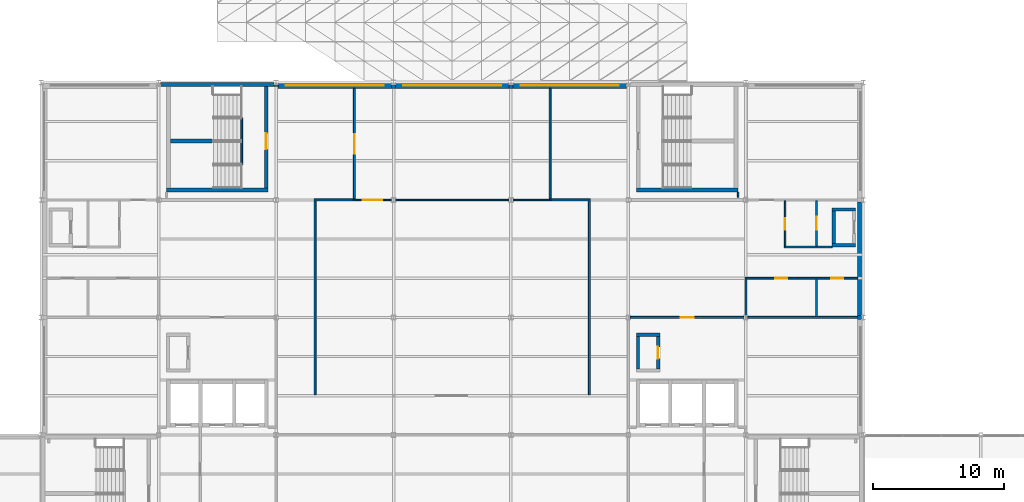
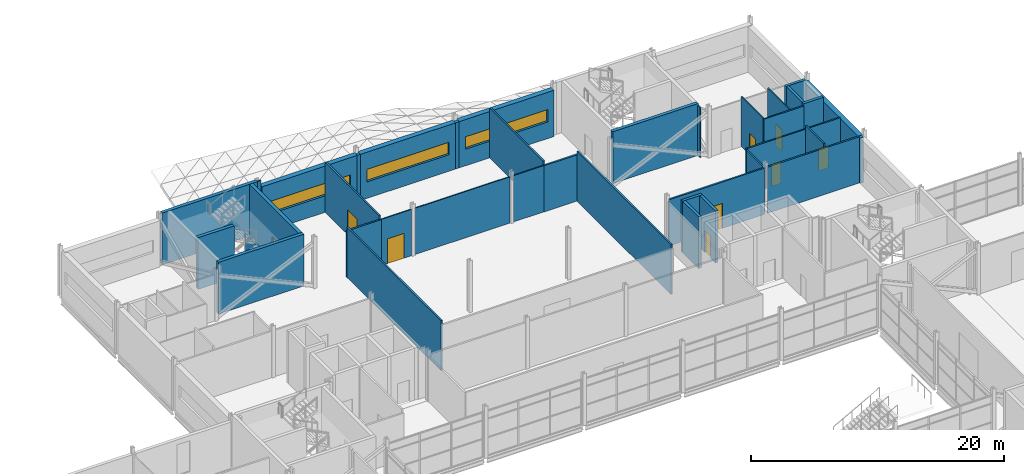
# One storey, part 86 of 112: 38 walls, 9 doors, 3 windows, 12 openings.
"""IFC4 building model written with IfcOpenShell, lengths in metres."""

from ifc_helpers import new_model, si_unit, direction, frame, frame_2d, origin, place, context, subcontext, project, spatial, rectangle, extrude, material, layer, layer_set, type_object, element, fill, save


model = new_model("IFC4")

# Units and contexts
model_context = context("Model", 3, precision=1e-05, world=origin(), true_north=direction((0.0, 1.0)))
body_context = subcontext(model_context, "Body", "Model", "MODEL_VIEW")
ifc_project = project(units=[si_unit("LENGTHUNIT", "METRE"), si_unit("AREAUNIT", "SQUARE_METRE"), si_unit("VOLUMEUNIT", "CUBIC_METRE"), si_unit("PLANEANGLEUNIT", "RADIAN"), si_unit("MASSUNIT", "GRAM", prefix="KILO")], contexts=[model_context])

# Site, building, storey
site_placement = place(None, origin())
site = spatial("IfcSite", under=ifc_project, at=site_placement, CompositionType="ELEMENT")
building_placement = place(site_placement, origin())
building = spatial("IfcBuilding", under=site, at=building_placement, Name="Shorebreak Coast Museum", CompositionType="ELEMENT")
storey_placement = place(building_placement, frame((0.0, 0.0, 6.0)))
storey = spatial("IfcBuildingStorey", under=building, at=storey_placement, Name="L01", CompositionType="ELEMENT", Elevation=6.0)

# Walls
ifc_material_1 = material(Name="Concrete N50 (50 MPa)", Category="concrete")
ifc_layer_1 = layer(ifc_material_1, 0.136474609375)
ifc_layer_set_1 = layer_set([ifc_layer_1], Name="Concrete N50 (50 MPa)")
wall_type_1 = type_object("IfcWallType", Name="Column closure panel 136", PredefinedType="SOLIDWALL", material=ifc_layer_set_1)
wall_1_placement = place(storey_placement, frame((71.844482421875, 116.768310546875, 0.0), z_axis=(0.0, 0.0, 1.0), x_axis=(1.0, 0.0, 0.0)))
element("IfcWall", 1, at=wall_1_placement, inside=storey, type_object=wall_type_1, Name="Column closure panel L01 N 9P", PredefinedType="SOLIDWALL", context=body_context, shape_type="SweptSolid", body=[
    extrude(rectangle(XDim=0.322021484375, YDim=0.136474609375, at=frame_2d((0.1611328125, 0.0))), origin(), (0.0, 0.0, 1.0), 5.0),
])
ifc_material_2 = material(Name="Concrete N50 (50 MPa)", Category="concrete")
ifc_layer_2 = layer(ifc_material_2, 0.286376953125)
ifc_layer_set_2 = layer_set([ifc_layer_2], Name="Concrete N50 (50 MPa)")
wall_type_2 = type_object("IfcWallType", Name="Column closure panel 286", PredefinedType="SOLIDWALL", material=ifc_layer_set_2)
for number, where, z_axis, x_axis, name in (
    (2, (80.839111328125, 116.693115234375, 0.0), (0.0, 0.0, 1.0), (1.0, 0.0, 0.0), "Column closure panel L01 N 10P"),
    (3, (89.839111328125, 116.693115234375, 0.0), (0.0, 0.0, 1.0), (1.0, 0.0, 0.0), "Column closure panel L01 N 11P"),
):
    element("IfcWall", number, at=place(storey_placement, frame(where, z_axis=z_axis, x_axis=x_axis)), inside=storey, type_object=wall_type_2, Name=name, PredefinedType="SOLIDWALL", context=body_context, shape_type="SweptSolid", body=[
        extrude(rectangle(XDim=0.32177734375, YDim=0.286376953125, at=frame_2d((0.160888671875, 0.0))), origin(), (0.0, 0.0, 1.0), 4.46630859375),
    ])
ifc_material_3 = material(Name="Concrete N50 (50 MPa)", Category="concrete")
ifc_layer_3 = layer(ifc_material_3, 0.29541015625)
ifc_layer_set_3 = layer_set([ifc_layer_3], Name="Concrete N50 (50 MPa)")
wall_type_3 = type_object("IfcWallType", Name="Column closure panel 295", PredefinedType="SOLIDWALL", material=ifc_layer_set_3)
wall_2_placement = place(storey_placement, frame((116.69775390625, 98.839111328125, 0.0), z_axis=(0.0, 0.0, 1.0), x_axis=(0.0, 1.0, 0.0)))
element("IfcWall", 4, at=wall_2_placement, inside=storey, type_object=wall_type_3, Name="Column closure panel L01 E 14M", PredefinedType="SOLIDWALL", context=body_context, shape_type="SweptSolid", body=[
    extrude(rectangle(XDim=0.32177734375, YDim=0.29541015625, at=frame_2d((0.160888671875, 0.0))), origin(), (0.0, 0.0, 1.0), 4.364501953125),
])
ifc_material_4 = material(Name="Concrete N50 (50 MPa)", Category="concrete")
ifc_layer_4 = layer(ifc_material_4, 0.449951171875)
ifc_layer_set_4 = layer_set([ifc_layer_4], Name="Concrete N50 (50 MPa)")
wall_type_4 = type_object("IfcWallType", Name="Deep-set precast panel 450", PredefinedType="SOLIDWALL", material=ifc_layer_set_4)
wall_3_placement = place(storey_placement, frame((116.77490234375, 99.160888671875, 0.0), z_axis=(0.0, 0.0, 1.0), x_axis=(0.0, 1.0, 0.0)))
element("IfcWall", 5, at=wall_3_placement, inside=storey, type_object=wall_type_4, Name="External wall L01 E 14M", PredefinedType="SOLIDWALL", context=body_context, shape_type="SweptSolid", body=[
    extrude(rectangle(XDim=8.67822265625, YDim=0.449951171875, at=frame_2d((4.339111328125, 0.0))), origin(), (0.0, 0.0, 1.0), 4.364501953125),
])

# Wall, opening, window
wall_4_placement = place(storey_placement, frame((72.16650390625, 116.77490234375, 0.0), z_axis=(0.0, 0.0, 1.0), x_axis=(1.0, 0.0, 0.0)))
wall_4 = element("IfcWall", 6, at=wall_4_placement, inside=storey, type_object=wall_type_4, Name="External wall L01 N 9P", PredefinedType="SOLIDWALL", context=body_context, shape_type="SweptSolid", body=[
    extrude(rectangle(XDim=8.672607421875, YDim=0.449951171875, at=frame_2d((4.33642578125, 0.0))), origin(), (0.0, 0.0, 1.0), 4.46630859375),
])
opening_1_placement = place(wall_4_placement, frame((0.58349609375, 0.0, 1.60009765625)))
opening_1 = element("IfcOpeningElement", 7, at=opening_1_placement, cuts=wall_4, Name="Opening WN1018", PredefinedType="OPENING", context=body_context, shape_type="SweptSolid", body=[
    extrude(rectangle(XDim=7.5, YDim=1.199951171875, at=frame_2d((3.75, 0.60009765625))), frame((0.0, 0.23486328125, 0.0), z_axis=(0.0, -1.0, 0.0), x_axis=(1.0, 0.0, 0.0)), (0.0, 0.0, 1.0), 0.469970703125),
])
ifc_material_5 = material(Name="Aluminium", Category="aluminium")
window_type = type_object("IfcWindowType", Name="Ribbon window 7500 x 1200", PartitioningType="SINGLE_PANEL", PredefinedType="WINDOW", material=ifc_material_5)
window_1_placement = place(opening_1_placement, origin())
window_1 = element("IfcWindow", 8, at=window_1_placement, inside=storey, type_object=window_type, Name="Window WN1018", OverallHeight=1.199951171875, OverallWidth=7.5, PartitioningType="SINGLE_PANEL", PredefinedType="WINDOW", context=body_context, shape_type="SweptSolid", body=[
    extrude(rectangle(XDim=7.5, YDim=1.199951171875, at=frame_2d((3.75, 0.60009765625))), frame((0.0, 0.030029296875, 0.0), z_axis=(0.0, -1.0, 0.0), x_axis=(1.0, 0.0, 0.0)), (0.0, 0.0, 1.0), 0.06005859375),
])
fill(opening_1, window_1)

wall_5_placement = place(storey_placement, frame((81.160888671875, 116.77490234375, 0.0), z_axis=(0.0, 0.0, 1.0), x_axis=(1.0, 0.0, 0.0)))
wall_5 = element("IfcWall", 9, at=wall_5_placement, inside=storey, type_object=wall_type_4, Name="External wall L01 N 10P", PredefinedType="SOLIDWALL", context=body_context, shape_type="SweptSolid", body=[
    extrude(rectangle(XDim=8.67822265625, YDim=0.449951171875, at=frame_2d((4.339111328125, 0.0))), origin(), (0.0, 0.0, 1.0), 4.46630859375),
])
opening_2_placement = place(wall_5_placement, frame((0.589111328125, 0.0, 1.60009765625)))
opening_2 = element("IfcOpeningElement", 10, at=opening_2_placement, cuts=wall_5, Name="Opening WN1019", PredefinedType="OPENING", context=body_context, shape_type="SweptSolid", body=[
    extrude(rectangle(XDim=7.5, YDim=1.199951171875, at=frame_2d((3.75, 0.60009765625))), frame((0.0, 0.23486328125, 0.0), z_axis=(0.0, -1.0, 0.0), x_axis=(1.0, 0.0, 0.0)), (0.0, 0.0, 1.0), 0.469970703125),
])
window_2_placement = place(opening_2_placement, origin())
window_2 = element("IfcWindow", 11, at=window_2_placement, inside=storey, type_object=window_type, Name="Window WN1019", OverallHeight=1.199951171875, OverallWidth=7.5, PartitioningType="SINGLE_PANEL", PredefinedType="WINDOW", context=body_context, shape_type="SweptSolid", body=[
    extrude(rectangle(XDim=7.5, YDim=1.199951171875, at=frame_2d((3.75, 0.60009765625))), frame((0.0, 0.030029296875, 0.0), z_axis=(0.0, -1.0, 0.0), x_axis=(1.0, 0.0, 0.0)), (0.0, 0.0, 1.0), 0.06005859375),
])
fill(opening_2, window_2)

wall_6_placement = place(storey_placement, frame((90.160888671875, 116.77490234375, 0.0), z_axis=(0.0, 0.0, 1.0), x_axis=(1.0, 0.0, 0.0)))
wall_6 = element("IfcWall", 12, at=wall_6_placement, inside=storey, type_object=wall_type_4, Name="External wall L01 N 11P", PredefinedType="SOLIDWALL", context=body_context, shape_type="SweptSolid", body=[
    extrude(rectangle(XDim=8.672607421875, YDim=0.449951171875, at=frame_2d((4.33642578125, 0.0))), origin(), (0.0, 0.0, 1.0), 4.46630859375),
])
opening_3_placement = place(wall_6_placement, frame((0.589111328125, 0.0, 1.60009765625)))
opening_3 = element("IfcOpeningElement", 13, at=opening_3_placement, cuts=wall_6, Name="Opening WN1020", PredefinedType="OPENING", context=body_context, shape_type="SweptSolid", body=[
    extrude(rectangle(XDim=7.5, YDim=1.199951171875, at=frame_2d((3.75, 0.60009765625))), frame((0.0, 0.23486328125, 0.0), z_axis=(0.0, -1.0, 0.0), x_axis=(1.0, 0.0, 0.0)), (0.0, 0.0, 1.0), 0.469970703125),
])
window_3_placement = place(opening_3_placement, origin())
window_3 = element("IfcWindow", 14, at=window_3_placement, inside=storey, type_object=window_type, Name="Window WN1020", OverallHeight=1.199951171875, OverallWidth=7.5, PartitioningType="SINGLE_PANEL", PredefinedType="WINDOW", context=body_context, shape_type="SweptSolid", body=[
    extrude(rectangle(XDim=7.5, YDim=1.199951171875, at=frame_2d((3.75, 0.60009765625))), frame((0.0, 0.030029296875, 0.0), z_axis=(0.0, -1.0, 0.0), x_axis=(1.0, 0.0, 0.0)), (0.0, 0.0, 1.0), 0.06005859375),
])
fill(opening_3, window_3)

# Wall, opening, door
ifc_material_6 = material(Name="Plasterboard on steel stud", Category="steel")
ifc_layer_5 = layer(ifc_material_6, 0.14990234375)
ifc_layer_set_5 = layer_set([ifc_layer_5], Name="Plasterboard on steel stud")
wall_type_5 = type_object("IfcWallType", Name="Fire partition 150", PredefinedType="PARTITIONING", material=ifc_layer_set_5)
wall_7_placement = place(storey_placement, frame((99.154541015625, 99.0, 0.0), z_axis=(0.0, 0.0, 1.0), x_axis=(1.0, 0.0, 0.0)))
wall_7 = element("IfcWall", 15, at=wall_7_placement, inside=storey, type_object=wall_type_5, Name="Partition L01-072", PredefinedType="PARTITIONING", context=body_context, shape_type="SweptSolid", body=[
    extrude(rectangle(XDim=8.69091796875, YDim=0.14990234375, at=frame_2d((4.345458984375, 0.0))), origin(), (0.0, 0.0, 1.0), 4.46630859375),
])
opening_4_placement = place(wall_7_placement, frame((3.85009765625, 0.0, 0.0)))
opening_4 = element("IfcOpeningElement", 16, at=opening_4_placement, cuts=wall_7, Name="Opening D1006", PredefinedType="OPENING", context=body_context, shape_type="SweptSolid", body=[
    extrude(rectangle(XDim=1.0, YDim=2.39990234375, at=frame_2d((0.5, 1.199951171875))), frame((0.0, 0.0849609375, 0.0), z_axis=(0.0, -1.0, 0.0), x_axis=(1.0, 0.0, 0.0)), (0.0, 0.0, 1.0), 0.169921875),
])
ifc_material_7 = material(Name="Steel", Category="steel")
door_type_1 = type_object("IfcDoorType", Name="Fire door 1000x2400 60", OperationType="SINGLE_SWING_LEFT", PredefinedType="DOOR", material=ifc_material_7)
door_1_placement = place(opening_4_placement, origin())
door_1 = element("IfcDoor", 17, at=door_1_placement, inside=storey, type_object=door_type_1, Name="Door D1006 Lift Services Room E", OperationType="SINGLE_SWING_LEFT", OverallHeight=2.39990234375, OverallWidth=1.0, PredefinedType="DOOR", context=body_context, shape_type="SweptSolid", body=[
    extrude(rectangle(XDim=1.0, YDim=2.39990234375, at=frame_2d((0.5, 1.199951171875))), frame((0.0, 0.02490234375, 0.0), z_axis=(0.0, -1.0, 0.0), x_axis=(1.0, 0.0, 0.0)), (0.0, 0.0, 1.0), 0.050048828125),
])
fill(opening_4, door_1)

# Walls
wall_8_placement = place(storey_placement, frame((108.154541015625, 99.0, 0.0), z_axis=(0.0, 0.0, 1.0), x_axis=(1.0, 0.0, 0.0)))
element("IfcWall", 18, at=wall_8_placement, inside=storey, type_object=wall_type_5, Name="Partition L01-073", PredefinedType="PARTITIONING", context=body_context, shape_type="SweptSolid", body=[
    extrude(rectangle(XDim=8.3955078125, YDim=0.14990234375, at=frame_2d((4.19775390625, 0.0))), origin(), (0.0, 0.0, 1.0), 4.46630859375),
])
for number, where, z_axis, x_axis, name in (
    (19, (74.925048828125, 108.0, 0.0), (0.0, 0.0, 1.0), (1.0, 0.0, 0.0), "Partition L01-079"),
    (20, (92.925048828125, 108.0, 0.0), (0.0, 0.0, 1.0), (1.0, 0.0, 0.0), "Partition L01-083"),
):
    element("IfcWall", number, at=place(storey_placement, frame(where, z_axis=z_axis, x_axis=x_axis)), inside=storey, type_object=wall_type_5, Name=name, PredefinedType="PARTITIONING", context=body_context, shape_type="SweptSolid", body=[
        extrude(rectangle(XDim=3.14990234375, YDim=0.14990234375, at=frame_2d((1.574951171875, 0.0))), origin(), (0.0, 0.0, 1.0), 4.46630859375),
    ])
wall_9_placement = place(storey_placement, frame((75.0, 93.074951171875, 0.0), z_axis=(0.0, 0.0, 1.0), x_axis=(0.0, 1.0, 0.0)))
element("IfcWall", 21, at=wall_9_placement, inside=storey, type_object=wall_type_5, Name="Partition L01-130", PredefinedType="PARTITIONING", context=body_context, shape_type="SweptSolid", body=[
    extrude(rectangle(XDim=14.85009765625, YDim=0.14990234375, at=frame_2d((7.425048828125, 0.0))), origin(), (0.0, 0.0, 1.0), 4.824951171875),
])

# Wall, opening, door
wall_10_placement = place(storey_placement, frame((78.0, 108.074951171875, 0.0), z_axis=(0.0, 0.0, 1.0), x_axis=(0.0, 1.0, 0.0)))
wall_10 = element("IfcWall", 22, at=wall_10_placement, inside=storey, type_object=wall_type_5, Name="Partition L01-132", PredefinedType="PARTITIONING", context=body_context, shape_type="SweptSolid", body=[
    extrude(rectangle(XDim=8.47509765625, YDim=0.14990234375, at=frame_2d((4.237548828125, 0.0))), origin(), (0.0, 0.0, 1.0), 4.824951171875),
])
opening_5_placement = place(wall_10_placement, frame((3.449951171875, 0.0, 0.0)))
opening_5 = element("IfcOpeningElement", 23, at=opening_5_placement, cuts=wall_10, Name="Opening D1018", PredefinedType="OPENING", context=body_context, shape_type="SweptSolid", body=[
    extrude(rectangle(XDim=1.5, YDim=2.39990234375, at=frame_2d((0.75, 1.199951171875))), frame((0.0, 0.0849609375, 0.0), z_axis=(0.0, -1.0, 0.0), x_axis=(1.0, 0.0, 0.0)), (0.0, 0.0, 1.0), 0.169921875),
])
ifc_material_8 = material(Name="Steel", Category="steel")
door_type_2 = type_object("IfcDoorType", Name="Fire door 1500x2400 60", OperationType="DOUBLE_DOOR_SINGLE_SWING", PredefinedType="DOOR", material=ifc_material_8)
door_2_placement = place(opening_5_placement, origin())
door_2 = element("IfcDoor", 24, at=door_2_placement, inside=storey, type_object=door_type_2, Name="Door D1018 Photography Gallery 1.01", OperationType="DOUBLE_DOOR_SINGLE_SWING", OverallHeight=2.39990234375, OverallWidth=1.5, PredefinedType="DOOR", context=body_context, shape_type="SweptSolid", body=[
    extrude(rectangle(XDim=1.5, YDim=2.39990234375, at=frame_2d((0.75, 1.199951171875))), frame((0.0, 0.02490234375, 0.0), z_axis=(0.0, -1.0, 0.0), x_axis=(1.0, 0.0, 0.0)), (0.0, 0.0, 1.0), 0.050048828125),
])
fill(opening_5, door_2)

# Walls
wall_11_placement = place(storey_placement, frame((93.0, 108.074951171875, 0.0), z_axis=(0.0, 0.0, 1.0), x_axis=(0.0, 1.0, 0.0)))
element("IfcWall", 25, at=wall_11_placement, inside=storey, type_object=wall_type_5, Name="Partition L01-139", PredefinedType="PARTITIONING", context=body_context, shape_type="SweptSolid", body=[
    extrude(rectangle(XDim=8.47509765625, YDim=0.14990234375, at=frame_2d((4.237548828125, 0.0))), origin(), (0.0, 0.0, 1.0), 4.824951171875),
])
wall_12_placement = place(storey_placement, frame((96.0, 93.074951171875, 0.0), z_axis=(0.0, 0.0, 1.0), x_axis=(0.0, 1.0, 0.0)))
element("IfcWall", 26, at=wall_12_placement, inside=storey, type_object=wall_type_5, Name="Partition L01-140", PredefinedType="PARTITIONING", context=body_context, shape_type="SweptSolid", body=[
    extrude(rectangle(XDim=14.85009765625, YDim=0.14990234375, at=frame_2d((7.425048828125, 0.0))), origin(), (0.0, 0.0, 1.0), 4.824951171875),
])

# Wall, opening, door
ifc_material_9 = material(Name="Plasterboard on steel stud", Category="steel")
ifc_layer_6 = layer(ifc_material_9, 0.10009765625)
ifc_layer_set_6 = layer_set([ifc_layer_6], Name="Plasterboard on steel stud")
wall_type_6 = type_object("IfcWallType", Name="Partition 100", PredefinedType="PARTITIONING", material=ifc_layer_set_6)
wall_13_placement = place(storey_placement, frame((77.925048828125, 108.0, 0.0), z_axis=(0.0, 0.0, 1.0), x_axis=(1.0, 0.0, 0.0)))
wall_13 = element("IfcWall", 27, at=wall_13_placement, inside=storey, type_object=wall_type_6, Name="Partition L01-080", PredefinedType="PARTITIONING", context=body_context, shape_type="SweptSolid", body=[
    extrude(rectangle(XDim=2.92041015625, YDim=0.10009765625, at=frame_2d((1.460205078125, 0.0))), origin(), (0.0, 0.0, 1.0), 4.46630859375),
])
opening_6_placement = place(wall_13_placement, frame((0.72509765625, 0.0, 0.0)))
opening_6 = element("IfcOpeningElement", 28, at=opening_6_placement, cuts=wall_13, Name="Opening D1062", PredefinedType="OPENING", context=body_context, shape_type="SweptSolid", body=[
    extrude(rectangle(XDim=1.5, YDim=2.39990234375, at=frame_2d((0.75, 1.199951171875))), frame((0.0, 0.06005859375, 0.0), z_axis=(0.0, -1.0, 0.0), x_axis=(1.0, 0.0, 0.0)), (0.0, 0.0, 1.0), 0.1201171875),
])
ifc_material_10 = material(Name="Timber", Category="wood")
door_type_3 = type_object("IfcDoorType", Name="Interior door 1500x2400", OperationType="DOUBLE_DOOR_SINGLE_SWING", PredefinedType="DOOR", material=ifc_material_10)
door_3_placement = place(opening_6_placement, origin())
door_3 = element("IfcDoor", 29, at=door_3_placement, inside=storey, type_object=door_type_3, Name="Door D1062 Temporary Gallery 1.01", OperationType="DOUBLE_DOOR_SINGLE_SWING", OverallHeight=2.39990234375, OverallWidth=1.5, PredefinedType="DOOR", context=body_context, shape_type="SweptSolid", body=[
    extrude(rectangle(XDim=1.5, YDim=2.39990234375, at=frame_2d((0.75, 1.199951171875))), frame((0.0, 0.02490234375, 0.0), z_axis=(0.0, -1.0, 0.0), x_axis=(1.0, 0.0, 0.0)), (0.0, 0.0, 1.0), 0.050048828125),
])
fill(opening_6, door_3)

# Walls
wall_14_placement = place(storey_placement, frame((81.154541015625, 108.0, 0.0), z_axis=(0.0, 0.0, 1.0), x_axis=(1.0, 0.0, 0.0)))
element("IfcWall", 30, at=wall_14_placement, inside=storey, type_object=wall_type_6, Name="Partition L01-081", PredefinedType="PARTITIONING", context=body_context, shape_type="SweptSolid", body=[
    extrude(rectangle(XDim=8.69091796875, YDim=0.10009765625, at=frame_2d((4.345458984375, 0.0))), origin(), (0.0, 0.0, 1.0), 4.46630859375),
])
wall_15_placement = place(storey_placement, frame((90.154541015625, 108.0, 0.0), z_axis=(0.0, 0.0, 1.0), x_axis=(1.0, 0.0, 0.0)))
element("IfcWall", 31, at=wall_15_placement, inside=storey, type_object=wall_type_6, Name="Partition L01-082", PredefinedType="PARTITIONING", context=body_context, shape_type="SweptSolid", body=[
    extrude(rectangle(XDim=2.92041015625, YDim=0.10009765625, at=frame_2d((1.460205078125, 0.0))), origin(), (0.0, 0.0, 1.0), 4.46630859375),
])
wall_16_placement = place(storey_placement, frame((107.39990234375, 108.219970703125, 0.0), z_axis=(0.0, 0.0, 1.0), x_axis=(0.0, 1.0, 0.0)))
element("IfcWall", 32, at=wall_16_placement, inside=storey, type_object=wall_type_6, Name="Partition L01-151", PredefinedType="PARTITIONING", context=body_context, shape_type="SweptSolid", body=[
    extrude(rectangle(XDim=0.380126953125, YDim=0.10009765625, at=frame_2d((0.18994140625, 0.0))), origin(), (0.0, 0.0, 1.0), 4.824951171875),
])

# Wall, openings, doors
ifc_material_11 = material(Name="Plasterboard on steel stud", Category="steel")
ifc_layer_7 = layer(ifc_material_11, 0.125)
ifc_layer_set_7 = layer_set([ifc_layer_7], Name="Plasterboard on steel stud")
wall_type_7 = type_object("IfcWallType", Name="Partition 125", PredefinedType="PARTITIONING", material=ifc_layer_set_7)
wall_17_placement = place(storey_placement, frame((107.9375, 102.0, 0.0), z_axis=(0.0, 0.0, 1.0), x_axis=(1.0, 0.0, 0.0)))
wall_17 = element("IfcWall", 33, at=wall_17_placement, inside=storey, type_object=wall_type_7, Name="Partition L01-075", PredefinedType="PARTITIONING", context=body_context, shape_type="SweptSolid", body=[
    extrude(rectangle(XDim=8.612548828125, YDim=0.125, at=frame_2d((4.30615234375, 0.0))), origin(), (0.0, 0.0, 1.0), 4.472900390625),
])
opening_7_placement = place(wall_17_placement, frame((6.612548828125, 0.0, 0.0)))
opening_7 = element("IfcOpeningElement", 34, at=opening_7_placement, cuts=wall_17, Name="Opening D1013", PredefinedType="OPENING", context=body_context, shape_type="SweptSolid", body=[
    extrude(rectangle(XDim=0.89990234375, YDim=2.10009765625, at=frame_2d((0.449951171875, 1.050048828125))), frame((0.0, 0.072509765625, 0.0), z_axis=(0.0, -1.0, 0.0), x_axis=(1.0, 0.0, 0.0)), (0.0, 0.0, 1.0), 0.14501953125),
])
opening_8_placement = place(wall_17_placement, frame((2.3125, 0.0, 0.0)))
opening_8 = element("IfcOpeningElement", 35, at=opening_8_placement, cuts=wall_17, Name="Opening D1014", PredefinedType="OPENING", context=body_context, shape_type="SweptSolid", body=[
    extrude(rectangle(XDim=0.89990234375, YDim=2.10009765625, at=frame_2d((0.449951171875, 1.050048828125))), frame((0.0, 0.072509765625, 0.0), z_axis=(0.0, -1.0, 0.0), x_axis=(1.0, 0.0, 0.0)), (0.0, 0.0, 1.0), 0.14501953125),
])
ifc_material_12 = material(Name="Timber", Category="wood")
door_type_4 = type_object("IfcDoorType", Name="Interior door 900x2100", OperationType="SINGLE_SWING_LEFT", PredefinedType="DOOR", material=ifc_material_12)
door_4_placement = place(opening_7_placement, origin())
door_4 = element("IfcDoor", 36, at=door_4_placement, inside=storey, type_object=door_type_4, Name="Door D1013 Accessible WC N2", OperationType="SINGLE_SWING_RIGHT", OverallHeight=2.10009765625, OverallWidth=0.89990234375, PredefinedType="DOOR", context=body_context, shape_type="SweptSolid", body=[
    extrude(rectangle(XDim=0.89990234375, YDim=2.10009765625, at=frame_2d((0.449951171875, 1.050048828125))), frame((0.0, 0.02490234375, 0.0), z_axis=(0.0, -1.0, 0.0), x_axis=(1.0, 0.0, 0.0)), (0.0, 0.0, 1.0), 0.050048828125),
])
fill(opening_7, door_4)
door_5_placement = place(opening_8_placement, origin())
door_5 = element("IfcDoor", 37, at=door_5_placement, inside=storey, type_object=door_type_4, Name="Door D1014 Male WC N2", OperationType="SINGLE_SWING_LEFT", OverallHeight=2.10009765625, OverallWidth=0.89990234375, PredefinedType="DOOR", context=body_context, shape_type="SweptSolid", body=[
    extrude(rectangle(XDim=0.89990234375, YDim=2.10009765625, at=frame_2d((0.449951171875, 1.050048828125))), frame((0.0, 0.02490234375, 0.0), z_axis=(0.0, -1.0, 0.0), x_axis=(1.0, 0.0, 0.0)), (0.0, 0.0, 1.0), 0.050048828125),
])
fill(opening_8, door_5)

# Walls
wall_18_placement = place(storey_placement, frame((110.9375, 104.39990234375, 0.0), z_axis=(0.0, 0.0, 1.0), x_axis=(1.0, 0.0, 0.0)))
element("IfcWall", 38, at=wall_18_placement, inside=storey, type_object=wall_type_7, Name="Partition L01-077", PredefinedType="PARTITIONING", context=body_context, shape_type="SweptSolid", body=[
    extrude(rectangle(XDim=3.66259765625, YDim=0.125, at=frame_2d((1.831298828125, 0.0))), origin(), (0.0, 0.0, 1.0), 4.824951171875),
])
wall_19_placement = place(storey_placement, frame((108.0, 99.160400390625, 0.0), z_axis=(0.0, 0.0, 1.0), x_axis=(0.0, 1.0, 0.0)))
element("IfcWall", 39, at=wall_19_placement, inside=storey, type_object=wall_type_7, Name="Partition L01-157", PredefinedType="PARTITIONING", context=body_context, shape_type="SweptSolid", body=[
    extrude(rectangle(XDim=2.777099609375, YDim=0.125, at=frame_2d((1.388671875, 0.0))), origin(), (0.0, 0.0, 1.0), 4.364501953125),
])

# Wall, opening, door
wall_20_placement = place(storey_placement, frame((111.0, 104.46240234375, 0.0), z_axis=(0.0, 0.0, 1.0), x_axis=(0.0, 1.0, 0.0)))
wall_20 = element("IfcWall", 40, at=wall_20_placement, inside=storey, type_object=wall_type_7, Name="Partition L01-164", PredefinedType="PARTITIONING", context=body_context, shape_type="SweptSolid", body=[
    extrude(rectangle(XDim=3.47509765625, YDim=0.125, at=frame_2d((1.737548828125, 0.0))), origin(), (0.0, 0.0, 1.0), 4.824951171875),
])
opening_9_placement = place(wall_20_placement, frame((1.25, 0.0, 0.0)))
opening_9 = element("IfcOpeningElement", 41, at=opening_9_placement, cuts=wall_20, Name="Opening D1012", PredefinedType="OPENING", context=body_context, shape_type="SweptSolid", body=[
    extrude(rectangle(XDim=0.89990234375, YDim=2.10009765625, at=frame_2d((0.449951171875, 1.050048828125))), frame((0.0, 0.072509765625, 0.0), z_axis=(0.0, -1.0, 0.0), x_axis=(1.0, 0.0, 0.0)), (0.0, 0.0, 1.0), 0.14501953125),
])
door_6_placement = place(opening_9_placement, origin())
door_6 = element("IfcDoor", 42, at=door_6_placement, inside=storey, type_object=door_type_4, Name="Door D1012 Female WC N2", OperationType="SINGLE_SWING_LEFT", OverallHeight=2.10009765625, OverallWidth=0.89990234375, PredefinedType="DOOR", context=body_context, shape_type="SweptSolid", body=[
    extrude(rectangle(XDim=0.89990234375, YDim=2.10009765625, at=frame_2d((0.449951171875, 1.050048828125))), frame((0.0, 0.02490234375, 0.0), z_axis=(0.0, -1.0, 0.0), x_axis=(1.0, 0.0, 0.0)), (0.0, 0.0, 1.0), 0.050048828125),
])
fill(opening_9, door_6)

# Wall
wall_21_placement = place(storey_placement, frame((113.39990234375, 99.074951171875, 0.0), z_axis=(0.0, 0.0, 1.0), x_axis=(0.0, 1.0, 0.0)))
element("IfcWall", 43, at=wall_21_placement, inside=storey, type_object=wall_type_7, Name="Partition L01-165", PredefinedType="PARTITIONING", context=body_context, shape_type="SweptSolid", body=[
    extrude(rectangle(XDim=2.862548828125, YDim=0.125, at=frame_2d((1.43115234375, 0.0))), origin(), (0.0, 0.0, 1.0), 4.824951171875),
])

# Wall, opening, door
wall_22_placement = place(storey_placement, frame((113.39990234375, 104.46240234375, 0.0), z_axis=(0.0, 0.0, 1.0), x_axis=(0.0, 1.0, 0.0)))
wall_22 = element("IfcWall", 44, at=wall_22_placement, inside=storey, type_object=wall_type_7, Name="Partition L01-166", PredefinedType="PARTITIONING", context=body_context, shape_type="SweptSolid", body=[
    extrude(rectangle(XDim=3.47509765625, YDim=0.125, at=frame_2d((1.737548828125, 0.0))), origin(), (0.0, 0.0, 1.0), 4.824951171875),
])
opening_10_placement = place(wall_22_placement, frame((1.25, 0.0, 0.0)))
opening_10 = element("IfcOpeningElement", 45, at=opening_10_placement, cuts=wall_22, Name="Opening D1011", PredefinedType="OPENING", context=body_context, shape_type="SweptSolid", body=[
    extrude(rectangle(XDim=1.0, YDim=2.10009765625, at=frame_2d((0.5, 1.050048828125))), frame((0.0, 0.072509765625, 0.0), z_axis=(0.0, -1.0, 0.0), x_axis=(1.0, 0.0, 0.0)), (0.0, 0.0, 1.0), 0.14501953125),
])
ifc_material_13 = material(Name="Timber", Category="wood")
door_type_5 = type_object("IfcDoorType", Name="Interior door 1000x2100", OperationType="SINGLE_SWING_LEFT", PredefinedType="DOOR", material=ifc_material_13)
door_7_placement = place(opening_10_placement, origin())
door_7 = element("IfcDoor", 46, at=door_7_placement, inside=storey, type_object=door_type_5, Name="Door D1011 Cleaner Store N2", OperationType="SINGLE_SWING_RIGHT", OverallHeight=2.10009765625, OverallWidth=1.0, PredefinedType="DOOR", context=body_context, shape_type="SweptSolid", body=[
    extrude(rectangle(XDim=1.0, YDim=2.10009765625, at=frame_2d((0.5, 1.050048828125))), frame((0.0, 0.02490234375, 0.0), z_axis=(0.0, -1.0, 0.0), x_axis=(1.0, 0.0, 0.0)), (0.0, 0.0, 1.0), 0.050048828125),
])
fill(opening_10, door_7)

# Walls
ifc_material_14 = material(Name="Concrete N50 (50 MPa)", Category="concrete")
ifc_layer_8 = layer(ifc_material_14, 0.25)
ifc_layer_set_8 = layer_set([ifc_layer_8], Name="Concrete N50 (50 MPa)")
wall_type_8 = type_object("IfcWallType", Name="RC riser wall 250", PredefinedType="STANDARD", material=ifc_layer_set_8)
for number, where, z_axis, x_axis, name in (
    (47, (114.60009765625, 104.52490234375, 0.0), (0.0, 0.0, 1.0), (1.0, 0.0, 0.0), "Riser wall R-WC-N2 L01 S"),
    (48, (114.60009765625, 107.27490234375, 0.0), (0.0, 0.0, 1.0), (1.0, 0.0, 0.0), "Riser wall R-WC-N2 L01 N"),
):
    element("IfcWall", number, at=place(storey_placement, frame(where, z_axis=z_axis, x_axis=x_axis)), inside=storey, type_object=wall_type_8, Name=name, PredefinedType="STANDARD", context=body_context, shape_type="SweptSolid", body=[
        extrude(rectangle(XDim=1.7998046875, YDim=0.25, at=frame_2d((0.89990234375, 0.0))), origin(), (0.0, 0.0, 1.0), 5.0),
    ])
wall_23_placement = place(storey_placement, frame((114.72509765625, 104.64990234375, 0.0), z_axis=(0.0, 0.0, 1.0), x_axis=(0.0, 1.0, 0.0)))
element("IfcWall", 49, at=wall_23_placement, inside=storey, type_object=wall_type_8, Name="Riser wall R-WC-N2 L01 W", PredefinedType="STANDARD", context=body_context, shape_type="SweptSolid", body=[
    extrude(rectangle(XDim=2.5, YDim=0.25, at=frame_2d((1.25, 0.0))), origin(), (0.0, 0.0, 1.0), 5.0),
])
wall_24_placement = place(storey_placement, frame((99.60009765625, 97.675048828125, 0.0), z_axis=(0.0, 0.0, 1.0), x_axis=(1.0, 0.0, 0.0)))
element("IfcWall", 50, at=wall_24_placement, inside=storey, type_object=wall_type_8, Name="Riser wall R-LBE L01 N", PredefinedType="STANDARD", context=body_context, shape_type="SweptSolid", body=[
    extrude(rectangle(XDim=1.7998046875, YDim=0.25, at=frame_2d((0.89990234375, 0.0))), origin(), (0.0, 0.0, 1.0), 5.0),
])
wall_25_placement = place(storey_placement, frame((99.72509765625, 95.050048828125, 0.0), z_axis=(0.0, 0.0, 1.0), x_axis=(0.0, 1.0, 0.0)))
element("IfcWall", 51, at=wall_25_placement, inside=storey, type_object=wall_type_8, Name="Riser wall R-LBE L01 W", PredefinedType="STANDARD", context=body_context, shape_type="SweptSolid", body=[
    extrude(rectangle(XDim=2.5, YDim=0.25, at=frame_2d((1.25, 0.0))), origin(), (0.0, 0.0, 1.0), 5.0),
])

# Wall, opening, door
wall_26_placement = place(storey_placement, frame((101.27490234375, 95.050048828125, 0.0), z_axis=(0.0, 0.0, 1.0), x_axis=(0.0, 1.0, 0.0)))
wall_26 = element("IfcWall", 52, at=wall_26_placement, inside=storey, type_object=wall_type_8, Name="Riser wall R-LBE L01 E", PredefinedType="STANDARD", context=body_context, shape_type="SweptSolid", body=[
    extrude(rectangle(XDim=2.5, YDim=0.25, at=frame_2d((1.25, 0.0))), origin(), (0.0, 0.0, 1.0), 5.0),
])
opening_11_placement = place(wall_26_placement, frame((0.800048828125, 0.0, 0.0)))
opening_11 = element("IfcOpeningElement", 53, at=opening_11_placement, cuts=wall_26, Name="Opening D1607", PredefinedType="OPENING", context=body_context, shape_type="SweptSolid", body=[
    extrude(rectangle(XDim=0.89990234375, YDim=2.10009765625, at=frame_2d((0.449951171875, 1.050048828125))), frame((0.0, 0.135009765625, 0.0), z_axis=(0.0, -1.0, 0.0), x_axis=(1.0, 0.0, 0.0)), (0.0, 0.0, 1.0), 0.27001953125),
])
ifc_material_15 = material(Name="Steel Grade 300", Category="steel")
door_type_6 = type_object("IfcDoorType", Name="Riser door 900x2100", OperationType="SINGLE_SWING_LEFT", PredefinedType="DOOR", material=ifc_material_15)
door_8_placement = place(opening_11_placement, origin())
door_8 = element("IfcDoor", 54, at=door_8_placement, inside=storey, type_object=door_type_6, Name="Riser door R-LBE L01", OperationType="SINGLE_SWING_RIGHT", OverallHeight=2.10009765625, OverallWidth=0.89990234375, PredefinedType="DOOR", context=body_context, shape_type="SweptSolid", body=[
    extrude(rectangle(XDim=0.89990234375, YDim=2.10009765625, at=frame_2d((0.449951171875, 1.050048828125))), frame((0.0, 0.02490234375, 0.0), z_axis=(0.0, -1.0, 0.0), x_axis=(1.0, 0.0, 0.0)), (0.0, 0.0, 1.0), 0.050048828125),
])
fill(opening_11, door_8)

# Walls
ifc_material_16 = material(Name="Concrete N50 (50 MPa)", Category="concrete")
ifc_layer_9 = layer(ifc_material_16, 0.300048828125)
ifc_layer_set_9 = layer_set([ifc_layer_9], Name="Concrete N50 (50 MPa)")
wall_type_9 = type_object("IfcWallType", Name="RC wall 300", PredefinedType="SHEAR", material=ifc_layer_set_9)
wall_27_placement = place(storey_placement, frame((63.60009765625, 108.75, 0.0), z_axis=(0.0, 0.0, 1.0), x_axis=(1.0, 0.0, 0.0)))
element("IfcWall", 55, at=wall_27_placement, inside=storey, type_object=wall_type_9, Name="Stair core wall ST09 L01 S", PredefinedType="SHEAR", context=body_context, shape_type="SweptSolid", body=[
    extrude(rectangle(XDim=7.7998046875, YDim=0.300048828125, at=frame_2d((3.89990234375, 0.0))), origin(), (0.0, 0.0, 1.0), 5.0),
])
wall_28_placement = place(storey_placement, frame((63.155517578125, 116.85009765625, 0.0), z_axis=(0.0, 0.0, 1.0), x_axis=(1.0, 0.0, 0.0)))
element("IfcWall", 56, at=wall_28_placement, inside=storey, type_object=wall_type_9, Name="Stair core wall ST09 L01 N", PredefinedType="SHEAR", context=body_context, shape_type="SweptSolid", body=[
    extrude(rectangle(XDim=8.68896484375, YDim=0.300048828125, at=frame_2d((4.344482421875, 0.0))), origin(), (0.0, 0.0, 1.0), 5.0),
])

# Wall, opening, door
wall_29_placement = place(storey_placement, frame((71.25, 108.89990234375, 0.0), z_axis=(0.0, 0.0, 1.0), x_axis=(0.0, 1.0, 0.0)))
wall_29 = element("IfcWall", 57, at=wall_29_placement, inside=storey, type_object=wall_type_9, Name="Stair core wall ST09 L01 E", PredefinedType="SHEAR", context=body_context, shape_type="SweptSolid", body=[
    extrude(rectangle(XDim=7.800048828125, YDim=0.300048828125, at=frame_2d((3.89990234375, 0.0))), origin(), (0.0, 0.0, 1.0), 5.0),
])
opening_12_placement = place(wall_29_placement, frame((3.0, 0.0, 0.0)))
opening_12 = element("IfcOpeningElement", 58, at=opening_12_placement, cuts=wall_29, Name="Opening D1809", PredefinedType="OPENING", context=body_context, shape_type="SweptSolid", body=[
    extrude(rectangle(XDim=1.199951171875, YDim=2.10009765625, at=frame_2d((0.60009765625, 1.050048828125))), frame((0.0, 0.159912109375, 0.0), z_axis=(0.0, -1.0, 0.0), x_axis=(1.0, 0.0, 0.0)), (0.0, 0.0, 1.0), 0.320068359375),
])
ifc_material_17 = material(Name="Steel Grade 300", Category="steel")
door_type_7 = type_object("IfcDoorType", Name="Fire door 1200x2100", OperationType="SINGLE_SWING_LEFT", PredefinedType="DOOR", material=ifc_material_17)
door_9_placement = place(opening_12_placement, origin())
door_9 = element("IfcDoor", 59, at=door_9_placement, inside=storey, type_object=door_type_7, Name="Stair door ST09 L01", OperationType="SINGLE_SWING_RIGHT", OverallHeight=2.10009765625, OverallWidth=1.199951171875, PredefinedType="DOOR", context=body_context, shape_type="SweptSolid", body=[
    extrude(rectangle(XDim=1.199951171875, YDim=2.10009765625, at=frame_2d((0.60009765625, 1.050048828125))), frame((0.0, 0.02490234375, 0.0), z_axis=(0.0, -1.0, 0.0), x_axis=(1.0, 0.0, 0.0)), (0.0, 0.0, 1.0), 0.050048828125),
])
fill(opening_12, door_9)

# Walls
wall_30_placement = place(storey_placement, frame((99.60009765625, 108.75, 0.0), z_axis=(0.0, 0.0, 1.0), x_axis=(1.0, 0.0, 0.0)))
element("IfcWall", 60, at=wall_30_placement, inside=storey, type_object=wall_type_9, Name="Stair core wall ST10 L01 S", PredefinedType="SHEAR", context=body_context, shape_type="SweptSolid", body=[
    extrude(rectangle(XDim=7.7998046875, YDim=0.300048828125, at=frame_2d((3.89990234375, 0.0))), origin(), (0.0, 0.0, 1.0), 5.0),
])
wall_31_placement = place(storey_placement, frame((67.199951171875, 112.5, 0.0), z_axis=(0.0, 0.0, 1.0), x_axis=(-1.0, 0.0, 0.0)))
element("IfcWall", 61, at=wall_31_placement, inside=storey, type_object=wall_type_9, Name="Stair spine wall ST09 L01", PredefinedType="SHEAR", context=body_context, shape_type="SweptSolid", body=[
    extrude(rectangle(XDim=3.300048828125, YDim=0.300048828125, at=frame_2d((1.64990234375, 0.0))), origin(), (0.0, 0.0, 1.0), 5.0),
])
ifc_material_18 = material(Name="Concrete N50 (50 MPa)", Category="concrete")
ifc_layer_10 = layer(ifc_material_18, 0.14990234375)
ifc_layer_set_10 = layer_set([ifc_layer_10], Name="Concrete N50 (50 MPa)")
wall_type_10 = type_object("IfcWallType", Name="Understair wall 150", PredefinedType="STANDARD", material=ifc_layer_set_10)
wall_32_placement = place(storey_placement, frame((69.375, 110.699951171875, 0.0), z_axis=(0.0, 0.0, 1.0), x_axis=(0.0, 1.0, 0.0)))
element("IfcWall", 62, at=wall_32_placement, inside=storey, type_object=wall_type_10, Name="Understair wall ST09 L01 floor", PredefinedType="STANDARD", context=body_context, shape_type="SweptSolid", body=[
    extrude(rectangle(XDim=3.60009765625, YDim=0.14990234375, at=frame_2d((1.800048828125, 0.0))), origin(), (0.0, 0.0, 1.0), 2.300048828125),
])

save(model, "model.ifc")
